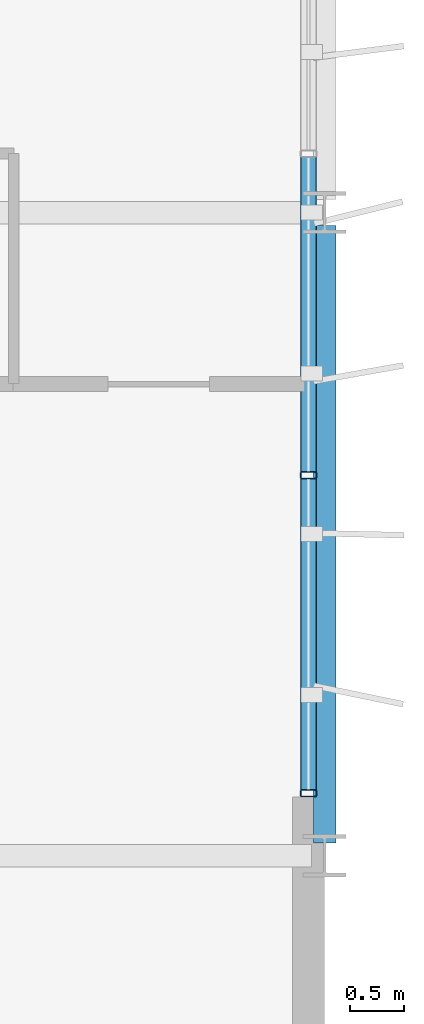
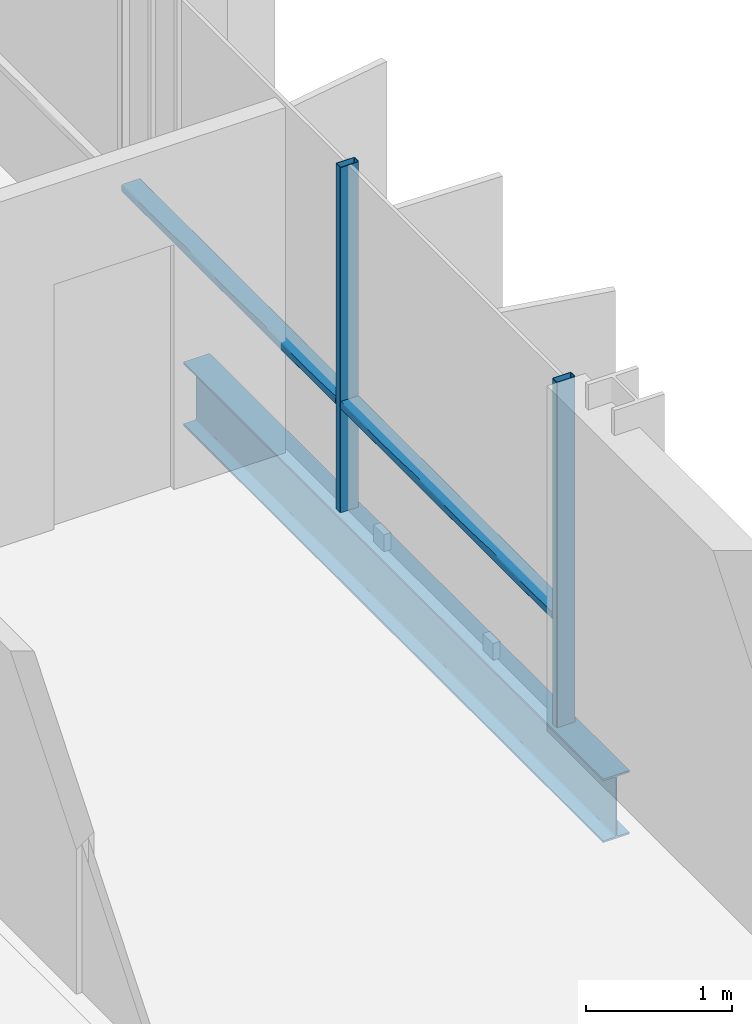
# One storey, part 10 of 29: 4 members, 1 beam, 1 element without a shape of its own.
"""IFC4 building model written with IfcOpenShell, lengths in metres."""

from ifc_helpers import new_model, si_unit, direction, frame, origin, origin_2d, place, context, subcontext, project, spatial, hollow_rectangle, i_section, extrude, material, layer, layer_set, material_profile, profile_set, type_object, element, aggregate, save


model = new_model("IFC4")

# Units and contexts
model_context = context("Model", 3, precision=1e-05, world=origin(), true_north=direction((0.0, 1.0)))
body_context = subcontext(model_context, "Body", "Model", "MODEL_VIEW")
ifc_project = project(units=[si_unit("LENGTHUNIT", "METRE"), si_unit("AREAUNIT", "SQUARE_METRE"), si_unit("VOLUMEUNIT", "CUBIC_METRE"), si_unit("PLANEANGLEUNIT", "RADIAN"), si_unit("MASSUNIT", "GRAM", prefix="KILO")], contexts=[model_context])

# Site, building, storey
site_placement = place(None, origin())
site = spatial("IfcSite", under=ifc_project, at=site_placement, CompositionType="ELEMENT")
building_placement = place(site_placement, origin())
building = spatial("IfcBuilding", under=site, at=building_placement, Name="Brevholm Reach", CompositionType="ELEMENT")
storey_placement = place(building_placement, frame((0.0, 0.0, 198.699951171875)))
storey = spatial("IfcBuildingStorey", under=building, at=storey_placement, Name="L60", CompositionType="ELEMENT", Elevation=198.699951171875)

# Beam
ifc_material_1 = material(Name="Structural Steel S355J2", Category="steel")
ifc_material_profile_1 = material_profile(ifc_material_1, i_section(OverallWidth=0.209228515625, OverallDepth=0.533203125, WebThickness=0.010009765625, FlangeThickness=0.015625, FilletRadius=0.0126953125, at=origin_2d()), Name="UKB 533x210x92")
ifc_profile_set_1 = profile_set([ifc_material_profile_1], Name="Structural Steel S355J2")
beam_type = type_object("IfcBeamType", Name="BM-SP533", PredefinedType="SPANDREL", material=ifc_profile_set_1)
beam_placement = place(storey_placement, frame((60.0, 10.1201171875, -0.4765625), z_axis=(0.0, 1.0, 0.0), x_axis=(-1.0, 0.0, 0.0)))
element("IfcBeam", 1, at=beam_placement, inside=storey, type_object=beam_type, Name="L60 SP-02 Framing Beam", PredefinedType="SPANDREL", context=body_context, shape_type="SweptSolid", body=[
    extrude(i_section(OverallWidth=0.209228515625, OverallDepth=0.533203125, WebThickness=0.010009765625, FlangeThickness=0.015625, FilletRadius=0.0126953125, at=origin_2d()), origin(), (0.0, 0.0, 1.0), 5.759765625),
])

# Curtain wall, members
ifc_material_2 = material(Name="Dark Anodised Aluminium 6063-T6 and Solar-Control Glass", Category="aluminium")
ifc_layer = layer(ifc_material_2, 0.14990234375)
ifc_layer_set = layer_set([ifc_layer], Name="Dark Anodised Aluminium 6063-T6 and Solar-Control Glass")
curtain_wall_type = type_object("IfcCurtainWallType", Name="CW-01", PredefinedType="NOTDEFINED", material=ifc_layer_set)
curtain_wall_placement = place(storey_placement, origin())
curtain_wall = element("IfcCurtainWall", 2, at=curtain_wall_placement, inside=storey, type_object=curtain_wall_type, Name="L60 Curtain Wall CW-01", PredefinedType="NOTDEFINED")
ifc_material_3 = material(Name="Dark Anodised Aluminium 6063-T6", Category="aluminium")
ifc_material_profile_2 = material_profile(ifc_material_3, hollow_rectangle(XDim=0.06494140625, YDim=0.14990234375, WallThickness=0.0048828125, InnerFilletRadius=0.0048828125, OuterFilletRadius=0.010009765625, at=origin_2d()), Name="RHS 150x65x5")
ifc_profile_set_2 = profile_set([ifc_material_profile_2], Name="Dark Anodised Aluminium 6063-T6")
member_type_1 = type_object("IfcMemberType", Name="CWM-150", PredefinedType="MULLION", material=ifc_profile_set_2)
member_1_placement = place(storey_placement, frame((59.85009765625, 10.58251953125, 0.0), z_axis=(0.0, 0.0, 1.0), x_axis=(0.0, 1.0, 0.0)))
member_1 = element("IfcMember", 3, at=member_1_placement, type_object=member_type_1, Name="CM-150 Mullion 1", PredefinedType="MULLION", context=body_context, shape_type="SweptSolid", body=[
    extrude(hollow_rectangle(XDim=0.06494140625, YDim=0.14990234375, WallThickness=0.0048828125, InnerFilletRadius=0.0048828125, OuterFilletRadius=0.010009765625, at=origin_2d()), origin(), (0.0, 0.0, 1.0), 2.89013671875),
])
member_2_placement = place(storey_placement, frame((59.85009765625, 13.550048828125, 0.0), z_axis=(0.0, 0.0, 1.0), x_axis=(0.0, 1.0, 0.0)))
member_2 = element("IfcMember", 4, at=member_2_placement, type_object=member_type_1, Name="CM-150 Mullion 2", PredefinedType="MULLION", context=body_context, shape_type="SweptSolid", body=[
    extrude(hollow_rectangle(XDim=0.06494140625, YDim=0.14990234375, WallThickness=0.0048828125, InnerFilletRadius=0.0048828125, OuterFilletRadius=0.010009765625, at=origin_2d()), origin(), (0.0, 0.0, 1.0), 2.89013671875),
])
ifc_material_4 = material(Name="Dark Anodised Aluminium 6063-T6", Category="aluminium")
ifc_material_profile_3 = material_profile(ifc_material_4, hollow_rectangle(XDim=0.06494140625, YDim=0.14990234375, WallThickness=0.0048828125, InnerFilletRadius=0.0048828125, OuterFilletRadius=0.010009765625, at=origin_2d()), Name="RHS 150x65x5")
ifc_profile_set_3 = profile_set([ifc_material_profile_3], Name="Dark Anodised Aluminium 6063-T6")
member_type_2 = type_object("IfcMemberType", Name="CWT-150", PredefinedType="NOTDEFINED", material=ifc_profile_set_3)
member_3_placement = place(storey_placement, frame((59.85009765625, 10.614990234375, 0.900146484375), z_axis=(0.0, 1.0, 0.0), x_axis=(0.0, 0.0, 1.0)))
member_3 = element("IfcMember", 5, at=member_3_placement, type_object=member_type_2, Name="CT-150 Transom 1.1", ObjectType="TRANSOM", PredefinedType="USERDEFINED", context=body_context, shape_type="SweptSolid", body=[
    extrude(hollow_rectangle(XDim=0.06494140625, YDim=0.14990234375, WallThickness=0.0048828125, InnerFilletRadius=0.0048828125, OuterFilletRadius=0.010009765625, at=origin_2d()), origin(), (0.0, 0.0, 1.0), 2.902587890625),
])
member_4_placement = place(storey_placement, frame((59.85009765625, 13.58251953125, 0.900146484375), z_axis=(0.0, 1.0, 0.0), x_axis=(0.0, 0.0, 1.0)))
member_4 = element("IfcMember", 6, at=member_4_placement, type_object=member_type_2, Name="CT-150 Transom 2.1", ObjectType="TRANSOM", PredefinedType="USERDEFINED", context=body_context, shape_type="SweptSolid", body=[
    extrude(hollow_rectangle(XDim=0.06494140625, YDim=0.14990234375, WallThickness=0.0048828125, InnerFilletRadius=0.0048828125, OuterFilletRadius=0.010009765625, at=origin_2d()), origin(), (0.0, 0.0, 1.0), 2.93505859375),
])
aggregate(curtain_wall, [member_1, member_2, member_3, member_4])

save(model, "model.ifc")
